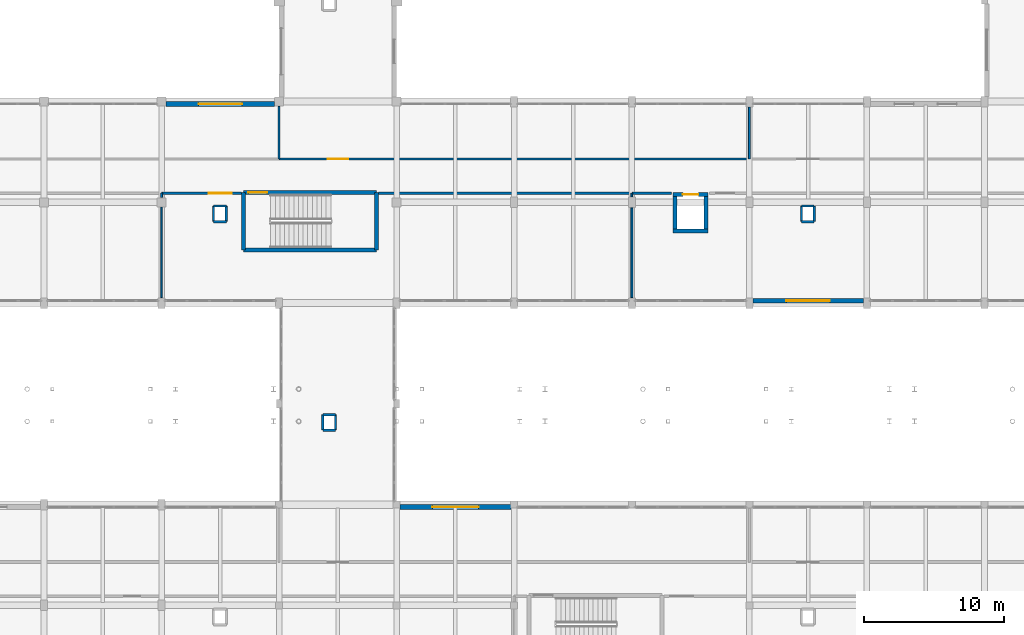
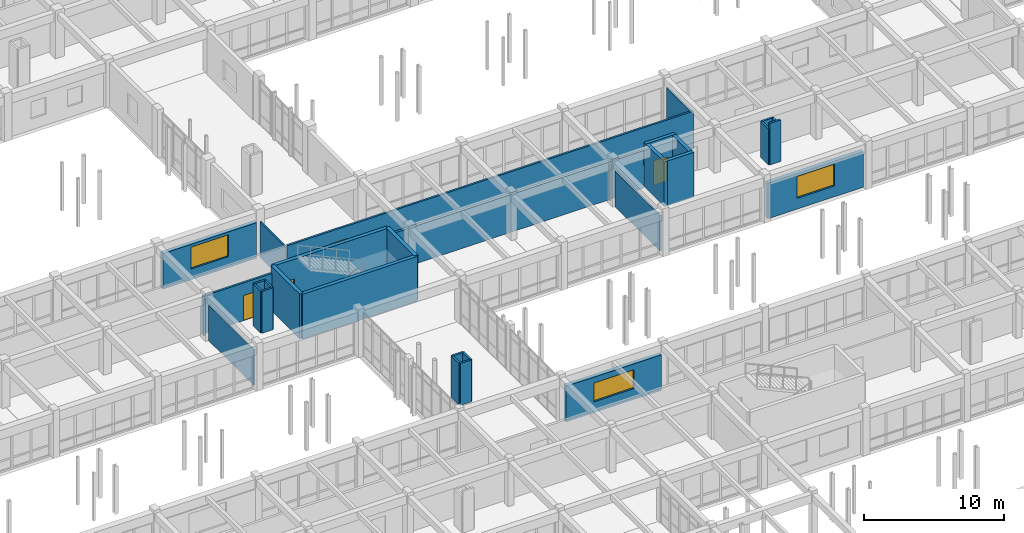
# One storey, part 133 of 147: 33 walls, 4 doors, 3 windows, 7 openings.
"""IFC4 building model written with IfcOpenShell, lengths in metres."""

from ifc_helpers import new_model, si_unit, direction, frame, frame_2d, origin, place, context, subcontext, project, spatial, rectangle, extrude, material, layer, layer_set, type_object, element, fill, save


model = new_model("IFC4")

# Units and contexts
model_context = context("Model", 3, precision=1e-05, world=origin(), true_north=direction((0.0, 1.0)))
body_context = subcontext(model_context, "Body", "Model", "MODEL_VIEW")
ifc_project = project(units=[si_unit("LENGTHUNIT", "METRE"), si_unit("AREAUNIT", "SQUARE_METRE"), si_unit("VOLUMEUNIT", "CUBIC_METRE"), si_unit("PLANEANGLEUNIT", "RADIAN"), si_unit("MASSUNIT", "GRAM", prefix="KILO")], contexts=[model_context])

# Site, building, storey
site_placement = place(None, origin())
site = spatial("IfcSite", under=ifc_project, at=site_placement, CompositionType="ELEMENT")
building_placement = place(site_placement, origin())
building = spatial("IfcBuilding", under=site, at=building_placement, Name="Malvenik Polytechnic", CompositionType="ELEMENT")
storey_placement = place(building_placement, frame((0.0, 0.0, 5.10009765625)))
storey = spatial("IfcBuildingStorey", under=building, at=storey_placement, Name="L01", CompositionType="ELEMENT", Elevation=5.10009765625)

# Wall
ifc_material_1 = material(Name="Concrete C35/45", Category="concrete")
ifc_layer_1 = layer(ifc_material_1, 0.280029296875)
ifc_layer_set_1 = layer_set([ifc_layer_1], Name="Concrete C35/45")
wall_type_1 = type_object("IfcWallType", Name="ARC-CW-S280", PredefinedType="SHEAR", material=ifc_layer_set_1)
wall_1_placement = place(storey_placement, frame((106.239990234375, 84.35009765625, 0.0), z_axis=(0.0, 0.0, 1.0), x_axis=(-1.0, 0.0, 0.0)))
element("IfcWall", 1, at=wall_1_placement, inside=storey, type_object=wall_type_1, Name="Lift Shaft Shear Wall LP-02 L01 -Y", PredefinedType="SHEAR", context=body_context, shape_type="SweptSolid", body=[
    extrude(rectangle(XDim=2.47998046875, YDim=0.280029296875, at=frame_2d((1.239990234375, 0.0))), origin(), (0.0, 0.0, 1.0), 3.919921875),
])

# Wall, opening, door
wall_2_placement = place(storey_placement, frame((103.760009765625, 86.949951171875, 0.0), z_axis=(0.0, 0.0, 1.0), x_axis=(1.0, 0.0, 0.0)))
wall_2 = element("IfcWall", 2, at=wall_2_placement, inside=storey, type_object=wall_type_1, Name="Lift Shaft Shear Wall LP-02 L01 +Y", PredefinedType="SHEAR", context=body_context, shape_type="SweptSolid", body=[
    extrude(rectangle(XDim=2.47998046875, YDim=0.280029296875, at=frame_2d((1.239990234375, 0.0))), origin(), (0.0, 0.0, 1.0), 3.919921875),
])
opening_1_placement = place(wall_2_placement, frame((0.68994140625, 0.0, 0.0)))
opening_1 = element("IfcOpeningElement", 3, at=opening_1_placement, cuts=wall_2, Name="Opening LD-01", PredefinedType="OPENING", context=body_context, shape_type="SweptSolid", body=[
    extrude(rectangle(XDim=1.10009765625, YDim=2.14990234375, at=frame_2d((0.550048828125, 1.074951171875))), frame((0.0, 0.14990234375, 0.0), z_axis=(0.0, -1.0, 0.0), x_axis=(1.0, 0.0, 0.0)), (0.0, 0.0, 1.0), 0.300048828125),
])
ifc_material_2 = material(Name="Stainless steel fire-rated sliding lift landing door", Category="steel")
door_type_1 = type_object("IfcDoorType", Name="ARC-LDR-LD-01", OperationType="NOTDEFINED", PredefinedType="DOOR", material=ifc_material_2)
door_1_placement = place(opening_1_placement, origin())
door_1 = element("IfcDoor", 4, at=door_1_placement, inside=storey, type_object=door_type_1, Name="Lift Sliding Landing Door LP-02 L01", OperationType="DOUBLE_DOOR_SLIDING", OverallHeight=2.14990234375, OverallWidth=1.10009765625, PredefinedType="DOOR", context=body_context, shape_type="SweptSolid", body=[
    extrude(rectangle(XDim=1.10009765625, YDim=2.14990234375, at=frame_2d((0.550048828125, 1.074951171875))), frame((0.0, 0.02490234375, 0.0), z_axis=(0.0, -1.0, 0.0), x_axis=(1.0, 0.0, 0.0)), (0.0, 0.0, 1.0), 0.050048828125),
])
fill(opening_1, door_1)

# Walls
for number, where, z_axis, x_axis, name in (
    (5, (103.89990234375, 84.2099609375, 0.0), (0.0, 0.0, 1.0), (0.0, 1.0, 0.0), "Lift Shaft Shear Wall LP-02 L01 -X"),
    (6, (106.10009765625, 87.090087890625, 0.0), (0.0, 0.0, 1.0), (0.0, -1.0, 0.0), "Lift Shaft Shear Wall LP-02 L01 +X"),
):
    element("IfcWall", number, at=place(storey_placement, frame(where, z_axis=z_axis, x_axis=x_axis)), inside=storey, type_object=wall_type_1, Name=name, PredefinedType="SHEAR", context=body_context, shape_type="SweptSolid", body=[
        extrude(rectangle(XDim=2.880126953125, YDim=0.280029296875, at=frame_2d((1.43994140625, 0.0))), origin(), (0.0, 0.0, 1.0), 3.919921875),
    ])
ifc_layer_2 = layer(ifc_material_1, 0.300048828125)
ifc_layer_set_2 = layer_set([ifc_layer_2], Name="Concrete C35/45")
wall_type_2 = type_object("IfcWallType", Name="ARC-CW-S300", PredefinedType="SHEAR", material=ifc_layer_set_2)
wall_3_placement = place(storey_placement, frame((73.050048828125, 83.0, 0.0), z_axis=(0.0, 0.0, 1.0), x_axis=(0.0, 1.0, 0.0)))
element("IfcWall", 7, at=wall_3_placement, inside=storey, type_object=wall_type_2, Name="Stair Core Shear Wall ST-05 L01 NEAR", PredefinedType="SHEAR", context=body_context, shape_type="SweptSolid", body=[
    extrude(rectangle(XDim=4.10009765625, YDim=0.300048828125, at=frame_2d((2.050048828125, 0.0))), origin(), (0.0, 0.0, 1.0), 3.919921875),
])

# Wall, opening, door
wall_4_placement = place(storey_placement, frame((73.050048828125, 87.10009765625, 0.0), z_axis=(0.0, 0.0, 1.0), x_axis=(1.0, 0.0, 0.0)))
wall_4 = element("IfcWall", 8, at=wall_4_placement, inside=storey, type_object=wall_type_2, Name="Stair Core Shear Wall ST-05 L01 RGHT", PredefinedType="SHEAR", context=body_context, shape_type="SweptSolid", body=[
    extrude(rectangle(XDim=9.5, YDim=0.300048828125, at=frame_2d((4.75, 0.0))), origin(), (0.0, 0.0, 1.0), 3.919921875),
])
opening_2_placement = place(wall_4_placement, frame((0.35009765625, 0.0, 0.0)))
opening_2 = element("IfcOpeningElement", 9, at=opening_2_placement, cuts=wall_4, Name="Opening SD-01", PredefinedType="OPENING", context=body_context, shape_type="SweptSolid", body=[
    extrude(rectangle(XDim=1.35009765625, YDim=2.199951171875, at=frame_2d((0.675048828125, 1.10009765625))), frame((0.0, 0.16015625, 0.0), z_axis=(0.0, -1.0, 0.0), x_axis=(1.0, 0.0, 0.0)), (0.0, 0.0, 1.0), 0.320068359375),
])
ifc_material_3 = material(Name="Fire-rated steel stair enclosure door", Category="steel")
door_type_2 = type_object("IfcDoorType", Name="ARC-IDR-SD-01", OperationType="NOTDEFINED", PredefinedType="DOOR", material=ifc_material_3)
door_2_placement = place(opening_2_placement, origin())
door_2 = element("IfcDoor", 10, at=door_2_placement, inside=storey, type_object=door_type_2, Name="Fire Stair Door ST-05 L01", OperationType="SINGLE_SWING_LEFT", OverallHeight=2.199951171875, OverallWidth=1.35009765625, PredefinedType="DOOR", context=body_context, shape_type="SweptSolid", body=[
    extrude(rectangle(XDim=1.35009765625, YDim=2.199951171875, at=frame_2d((0.675048828125, 1.10009765625))), frame((0.0, 0.02490234375, 0.0), z_axis=(0.0, -1.0, 0.0), x_axis=(1.0, 0.0, 0.0)), (0.0, 0.0, 1.0), 0.050048828125),
])
fill(opening_2, door_2)

# Walls
wall_5_placement = place(storey_placement, frame((82.550048828125, 87.10009765625, 0.0), z_axis=(0.0, 0.0, 1.0), x_axis=(0.0, -1.0, 0.0)))
element("IfcWall", 11, at=wall_5_placement, inside=storey, type_object=wall_type_2, Name="Stair Core Shear Wall ST-05 L01 FAR", PredefinedType="SHEAR", context=body_context, shape_type="SweptSolid", body=[
    extrude(rectangle(XDim=4.10009765625, YDim=0.300048828125, at=frame_2d((2.050048828125, 0.0))), origin(), (0.0, 0.0, 1.0), 3.919921875),
])
wall_6_placement = place(storey_placement, frame((82.550048828125, 83.0, 0.0), z_axis=(0.0, 0.0, 1.0), x_axis=(-1.0, 0.0, 0.0)))
element("IfcWall", 12, at=wall_6_placement, inside=storey, type_object=wall_type_2, Name="Stair Core Shear Wall ST-05 L01 LEFT", PredefinedType="SHEAR", context=body_context, shape_type="SweptSolid", body=[
    extrude(rectangle(XDim=9.5, YDim=0.300048828125, at=frame_2d((4.75, 0.0))), origin(), (0.0, 0.0, 1.0), 3.919921875),
])

# Wall, opening, window
ifc_material_4 = material(Name="Concrete C30/37", Category="concrete")
ifc_layer_3 = layer(ifc_material_4, 0.340087890625)
ifc_layer_set_3 = layer_set([ifc_layer_3], Name="Concrete C30/37")
wall_type_3 = type_object("IfcWallType", Name="ARC-EW-340", PredefinedType="SOLIDWALL", material=ifc_layer_set_3)
wall_7_placement = place(storey_placement, frame((67.52294921875, 93.429931640625, 0.0), z_axis=(0.0, 0.0, 1.0), x_axis=(1.0, 0.0, 0.0)))
wall_7 = element("IfcWall", 13, at=wall_7_placement, inside=storey, type_object=wall_type_3, Name="External Facade Wall EW-02 L01 #182", PredefinedType="SOLIDWALL", context=body_context, shape_type="SweptSolid", body=[
    extrude(rectangle(XDim=7.754150390625, YDim=0.340087890625, at=frame_2d((3.876953125, 0.0))), origin(), (0.0, 0.0, 1.0), 3.10986328125),
])
opening_3_placement = place(wall_7_placement, frame((2.326904296875, 0.0, 0.949951171875)))
opening_3 = element("IfcOpeningElement", 14, at=opening_3_placement, cuts=wall_7, Name="Opening W-29", PredefinedType="OPENING", context=body_context, shape_type="SweptSolid", body=[
    extrude(rectangle(XDim=3.10009765625, YDim=1.909912109375, at=frame_2d((1.550048828125, 0.955078125))), frame((0.0, 0.18017578125, 0.0), z_axis=(0.0, -1.0, 0.0), x_axis=(1.0, 0.0, 0.0)), (0.0, 0.0, 1.0), 0.360107421875),
])
ifc_material_5 = material(Name="Thermally broken aluminium frame with low-E double glazing", Category="aluminium")
window_type_1 = type_object("IfcWindowType", Name="ARC-WIN-W-29", PartitioningType="SINGLE_PANEL", PredefinedType="WINDOW", material=ifc_material_5)
window_1_placement = place(opening_3_placement, origin())
window_1 = element("IfcWindow", 15, at=window_1_placement, inside=storey, type_object=window_type_1, Name="Punched Window W-29 L01 #146", OverallHeight=1.909912109375, OverallWidth=3.10009765625, PartitioningType="SINGLE_PANEL", PredefinedType="WINDOW", context=body_context, shape_type="SweptSolid", body=[
    extrude(rectangle(XDim=3.10009765625, YDim=1.909912109375, at=frame_2d((1.550048828125, 0.955078125))), frame((0.0, 0.030029296875, 0.0), z_axis=(0.0, -1.0, 0.0), x_axis=(1.0, 0.0, 0.0)), (0.0, 0.0, 1.0), 0.06005859375),
])
fill(opening_3, window_1)

wall_8_placement = place(storey_placement, frame((117.35205078125, 79.3701171875, 0.0), z_axis=(0.0, 0.0, 1.0), x_axis=(-1.0, 0.0, 0.0)))
wall_8 = element("IfcWall", 16, at=wall_8_placement, inside=storey, type_object=wall_type_3, Name="External Facade Wall EW-02 L01 #213", PredefinedType="SOLIDWALL", context=body_context, shape_type="SweptSolid", body=[
    extrude(rectangle(XDim=7.904052734375, YDim=0.340087890625, at=frame_2d((3.9521484375, 0.0))), origin(), (0.0, 0.0, 1.0), 3.10986328125),
])
opening_4_placement = place(wall_8_placement, frame((2.402099609375, 0.0, 0.949951171875)))
opening_4 = element("IfcOpeningElement", 17, at=opening_4_placement, cuts=wall_8, Name="Opening W-29", PredefinedType="OPENING", context=body_context, shape_type="SweptSolid", body=[
    extrude(rectangle(XDim=3.10009765625, YDim=1.909912109375, at=frame_2d((1.550048828125, 0.955078125))), frame((0.0, 0.18017578125, 0.0), z_axis=(0.0, -1.0, 0.0), x_axis=(1.0, 0.0, 0.0)), (0.0, 0.0, 1.0), 0.360107421875),
])
window_2_placement = place(opening_4_placement, origin())
window_2 = element("IfcWindow", 18, at=window_2_placement, inside=storey, type_object=window_type_1, Name="Punched Window W-29 L01 #178", OverallHeight=1.909912109375, OverallWidth=3.10009765625, PartitioningType="SINGLE_PANEL", PredefinedType="WINDOW", context=body_context, shape_type="SweptSolid", body=[
    extrude(rectangle(XDim=3.10009765625, YDim=1.909912109375, at=frame_2d((1.550048828125, 0.955078125))), frame((0.0, 0.030029296875, 0.0), z_axis=(0.0, -1.0, 0.0), x_axis=(1.0, 0.0, 0.0)), (0.0, 0.0, 1.0), 0.06005859375),
])
fill(opening_4, window_2)

wall_9_placement = place(storey_placement, frame((84.248046875, 64.6298828125, 0.0), z_axis=(0.0, 0.0, 1.0), x_axis=(1.0, 0.0, 0.0)))
wall_9 = element("IfcWall", 19, at=wall_9_placement, inside=storey, type_object=wall_type_3, Name="External Facade Wall EW-02 L01 #214", PredefinedType="SOLIDWALL", context=body_context, shape_type="SweptSolid", body=[
    extrude(rectangle(XDim=7.904052734375, YDim=0.340087890625, at=frame_2d((3.9521484375, 0.0))), origin(), (0.0, 0.0, 1.0), 3.10986328125),
])
opening_5_placement = place(wall_9_placement, frame((2.302001953125, 0.0, 0.949951171875)))
opening_5 = element("IfcOpeningElement", 20, at=opening_5_placement, cuts=wall_9, Name="Opening W-30", PredefinedType="OPENING", context=body_context, shape_type="SweptSolid", body=[
    extrude(rectangle(XDim=3.300048828125, YDim=1.64990234375, at=frame_2d((1.64990234375, 0.824951171875))), frame((0.0, 0.18017578125, 0.0), z_axis=(0.0, -1.0, 0.0), x_axis=(1.0, 0.0, 0.0)), (0.0, 0.0, 1.0), 0.360107421875),
])
window_type_2 = type_object("IfcWindowType", Name="ARC-WIN-W-30", PartitioningType="SINGLE_PANEL", PredefinedType="WINDOW", material=ifc_material_5)
window_3_placement = place(opening_5_placement, origin())
window_3 = element("IfcWindow", 21, at=window_3_placement, inside=storey, type_object=window_type_2, Name="Punched Window W-30 L01 #179", OverallHeight=1.64990234375, OverallWidth=3.300048828125, PartitioningType="SINGLE_PANEL", PredefinedType="WINDOW", context=body_context, shape_type="SweptSolid", body=[
    extrude(rectangle(XDim=3.300048828125, YDim=1.64990234375, at=frame_2d((1.64990234375, 0.824951171875))), frame((0.0, 0.030029296875, 0.0), z_axis=(0.0, -1.0, 0.0), x_axis=(1.0, 0.0, 0.0)), (0.0, 0.0, 1.0), 0.06005859375),
])
fill(opening_5, window_3)

# Walls
ifc_material_6 = material(Name="Calcium silicate fire-rated blockwork 200mm", Category="masonry")
ifc_layer_4 = layer(ifc_material_6, 0.199951171875)
ifc_layer_set_4 = layer_set([ifc_layer_4], Name="Calcium silicate fire-rated blockwork 200mm")
wall_type_4 = type_object("IfcWallType", Name="ARC-FW-200", PredefinedType="SOLIDWALL", material=ifc_layer_set_4)
wall_10_placement = place(storey_placement, frame((100.800048828125, 87.050048828125, 0.0), z_axis=(0.0, 0.0, 1.0), x_axis=(-1.0, 0.0, 0.0)))
element("IfcWall", 22, at=wall_10_placement, inside=storey, type_object=wall_type_4, Name="Interior Partition FW-02 L01 #190", PredefinedType="SOLIDWALL", context=body_context, shape_type="SweptSolid", body=[
    extrude(rectangle(XDim=18.110107421875, YDim=0.199951171875, at=frame_2d((9.05517578125, 0.0))), origin(), (0.0, 0.0, 1.0), 3.304931640625),
])
ifc_material_7 = material(Name="Lightweight gypsum partition 110mm", Category="gypsum")
ifc_layer_5 = layer(ifc_material_7, 0.110107421875)
ifc_layer_set_5 = layer_set([ifc_layer_5], Name="Lightweight gypsum partition 110mm")
wall_type_5 = type_object("IfcWallType", Name="ARC-PW-110", PredefinedType="PARTITIONING", material=ifc_layer_set_5)
wall_11_placement = place(storey_placement, frame((67.199951171875, 79.594970703125, 0.0), z_axis=(0.0, 0.0, 1.0), x_axis=(0.0, 1.0, 0.0)))
element("IfcWall", 23, at=wall_11_placement, inside=storey, type_object=wall_type_5, Name="Interior Partition PW-04I L01 #188", PredefinedType="PARTITIONING", context=body_context, shape_type="SweptSolid", body=[
    extrude(rectangle(XDim=6.4599609375, YDim=0.110107421875, at=frame_2d((3.22998046875, 0.0))), origin(), (0.0, 0.0, 1.0), 3.10498046875),
])
ifc_material_8 = material(Name="Metal-stud gypsum board partition 125mm", Category="gypsum")
ifc_layer_6 = layer(ifc_material_8, 0.125)
ifc_layer_set_6 = layer_set([ifc_layer_6], Name="Metal-stud gypsum board partition 125mm")
wall_type_6 = type_object("IfcWallType", Name="ARC-PW-125", PredefinedType="PARTITIONING", material=ifc_layer_set_6)
wall_12_placement = place(storey_placement, frame((75.60009765625, 89.5, 0.0), z_axis=(0.0, 0.0, 1.0), x_axis=(0.0, 1.0, 0.0)))
element("IfcWall", 24, at=wall_12_placement, inside=storey, type_object=wall_type_6, Name="Interior Partition PW-03I L01 #178", PredefinedType="PARTITIONING", context=body_context, shape_type="SweptSolid", body=[
    extrude(rectangle(XDim=3.7548828125, YDim=0.125, at=frame_2d((1.87744140625, 0.0))), origin(), (0.0, 0.0, 1.0), 3.10498046875),
])
wall_13_placement = place(storey_placement, frame((100.800048828125, 86.794921875, 0.0), z_axis=(0.0, 0.0, 1.0), x_axis=(0.0, 1.0, 0.0)))
element("IfcWall", 25, at=wall_13_placement, inside=storey, type_object=wall_type_6, Name="Interior Partition PW-03I L01 #193", PredefinedType="PARTITIONING", context=body_context, shape_type="SweptSolid", body=[
    extrude(rectangle(XDim=0.255126953125, YDim=0.125, at=frame_2d((0.12744140625, 0.0))), origin(), (0.0, 0.0, 1.0), 3.15478515625),
])
ifc_material_9 = material(Name="Acoustic metal-stud gypsum partition 140mm", Category="gypsum")
ifc_layer_7 = layer(ifc_material_9, 0.139892578125)
ifc_layer_set_7 = layer_set([ifc_layer_7], Name="Acoustic metal-stud gypsum partition 140mm")
wall_type_7 = type_object("IfcWallType", Name="ARC-PW-140", PredefinedType="PARTITIONING", material=ifc_layer_set_7)
wall_14_placement = place(storey_placement, frame((109.199951171875, 89.5, 0.0), z_axis=(0.0, 0.0, 1.0), x_axis=(0.0, 1.0, 0.0)))
element("IfcWall", 26, at=wall_14_placement, inside=storey, type_object=wall_type_7, Name="Interior Partition PW-02I L01 #180", PredefinedType="PARTITIONING", context=body_context, shape_type="SweptSolid", body=[
    extrude(rectangle(XDim=3.705078125, YDim=0.139892578125, at=frame_2d((1.8525390625, 0.0))), origin(), (0.0, 0.0, 1.0), 3.10498046875),
])
wall_15_placement = place(storey_placement, frame((67.199951171875, 86.7451171875, 0.0), z_axis=(0.0, 0.0, 1.0), x_axis=(0.0, 1.0, 0.0)))
element("IfcWall", 27, at=wall_15_placement, inside=storey, type_object=wall_type_7, Name="Interior Partition PW-02I L01 #189", PredefinedType="PARTITIONING", context=body_context, shape_type="SweptSolid", body=[
    extrude(rectangle(XDim=0.304931640625, YDim=0.139892578125, at=frame_2d((0.15234375, 0.0))), origin(), (0.0, 0.0, 1.0), 3.15478515625),
])
wall_16_placement = place(storey_placement, frame((100.800048828125, 79.594970703125, 0.0), z_axis=(0.0, 0.0, 1.0), x_axis=(0.0, 1.0, 0.0)))
element("IfcWall", 28, at=wall_16_placement, inside=storey, type_object=wall_type_7, Name="Interior Partition PW-02I L01 #192", PredefinedType="PARTITIONING", context=body_context, shape_type="SweptSolid", body=[
    extrude(rectangle(XDim=6.409912109375, YDim=0.139892578125, at=frame_2d((3.205078125, 0.0))), origin(), (0.0, 0.0, 1.0), 3.10498046875),
])
ifc_material_10 = material(Name="Double-stud acoustic gypsum board partition 160mm", Category="gypsum")
ifc_layer_8 = layer(ifc_material_10, 0.159912109375)
ifc_layer_set_8 = layer_set([ifc_layer_8], Name="Double-stud acoustic gypsum board partition 160mm")
wall_type_8 = type_object("IfcWallType", Name="ARC-PW-160", PredefinedType="PARTITIONING", material=ifc_layer_set_8)
for number, where, z_axis, x_axis, name in (
    (29, (70.919921875, 85.02001953125, 0.0), (0.0, 0.0, 1.0), (1.0, 0.0, 0.0), "Riser Shaft Enclosure L01 #17S"),
    (30, (71.830078125, 86.1298828125, 0.0), (0.0, 0.0, 1.0), (-1.0, 0.0, 0.0), "Riser Shaft Enclosure L01 #17N"),
):
    element("IfcWall", number, at=place(storey_placement, frame(where, z_axis=z_axis, x_axis=x_axis)), inside=storey, type_object=wall_type_8, Name=name, PredefinedType="PARTITIONING", context=body_context, shape_type="SweptSolid", body=[
        extrude(rectangle(XDim=0.91015625, YDim=0.159912109375, at=frame_2d((0.455078125, 0.0))), origin(), (0.0, 0.0, 1.0), 3.64990234375),
    ])
for number, where, z_axis, x_axis, name in (
    (31, (70.919921875, 86.1298828125, 0.0), (0.0, 0.0, 1.0), (0.0, -1.0, 0.0), "Riser Shaft Enclosure L01 #17W"),
    (32, (71.830078125, 85.02001953125, 0.0), (0.0, 0.0, 1.0), (0.0, 1.0, 0.0), "Riser Shaft Enclosure L01 #17E"),
):
    element("IfcWall", number, at=place(storey_placement, frame(where, z_axis=z_axis, x_axis=x_axis)), inside=storey, type_object=wall_type_8, Name=name, PredefinedType="PARTITIONING", context=body_context, shape_type="SweptSolid", body=[
        extrude(rectangle(XDim=1.10986328125, YDim=0.159912109375, at=frame_2d((0.554931640625, 0.0))), origin(), (0.0, 0.0, 1.0), 3.64990234375),
    ])
wall_17_placement = place(storey_placement, frame((112.919921875, 85.02001953125, 0.0), z_axis=(0.0, 0.0, 1.0), x_axis=(1.0, 0.0, 0.0)))
element("IfcWall", 33, at=wall_17_placement, inside=storey, type_object=wall_type_8, Name="Riser Shaft Enclosure L01 #18S", PredefinedType="PARTITIONING", context=body_context, shape_type="SweptSolid", body=[
    extrude(rectangle(XDim=0.91015625, YDim=0.159912109375, at=frame_2d((0.455078125, 0.0))), origin(), (0.0, 0.0, 1.0), 3.64990234375),
])
wall_18_placement = place(storey_placement, frame((113.830078125, 86.1298828125, 0.0), z_axis=(0.0, 0.0, 1.0), x_axis=(-1.0, 0.0, 0.0)))
element("IfcWall", 34, at=wall_18_placement, inside=storey, type_object=wall_type_8, Name="Riser Shaft Enclosure L01 #18N", PredefinedType="PARTITIONING", context=body_context, shape_type="SweptSolid", body=[
    extrude(rectangle(XDim=0.91015625, YDim=0.159912109375, at=frame_2d((0.455078125, 0.0))), origin(), (0.0, 0.0, 1.0), 3.15478515625),
])
for number, where, z_axis, x_axis, name in (
    (35, (112.919921875, 86.1298828125, 0.0), (0.0, 0.0, 1.0), (0.0, -1.0, 0.0), "Riser Shaft Enclosure L01 #18W"),
    (36, (113.830078125, 85.02001953125, 0.0), (0.0, 0.0, 1.0), (0.0, 1.0, 0.0), "Riser Shaft Enclosure L01 #18E"),
):
    element("IfcWall", number, at=place(storey_placement, frame(where, z_axis=z_axis, x_axis=x_axis)), inside=storey, type_object=wall_type_8, Name=name, PredefinedType="PARTITIONING", context=body_context, shape_type="SweptSolid", body=[
        extrude(rectangle(XDim=1.10986328125, YDim=0.159912109375, at=frame_2d((0.554931640625, 0.0))), origin(), (0.0, 0.0, 1.0), 3.15478515625),
    ])
for number, where, z_axis, x_axis, name in (
    (37, (78.719970703125, 70.1201171875, 0.0), (0.0, 0.0, 1.0), (1.0, 0.0, 0.0), "Riser Shaft Enclosure L01 #25S"),
    (38, (79.6298828125, 71.22998046875, 0.0), (0.0, 0.0, 1.0), (-1.0, 0.0, 0.0), "Riser Shaft Enclosure L01 #25N"),
):
    element("IfcWall", number, at=place(storey_placement, frame(where, z_axis=z_axis, x_axis=x_axis)), inside=storey, type_object=wall_type_8, Name=name, PredefinedType="PARTITIONING", context=body_context, shape_type="SweptSolid", body=[
        extrude(rectangle(XDim=0.909912109375, YDim=0.159912109375, at=frame_2d((0.455078125, 0.0))), origin(), (0.0, 0.0, 1.0), 3.64990234375),
    ])
for number, where, z_axis, x_axis, name in (
    (39, (78.719970703125, 71.22998046875, 0.0), (0.0, 0.0, 1.0), (0.0, -1.0, 0.0), "Riser Shaft Enclosure L01 #25W"),
    (40, (79.6298828125, 70.1201171875, 0.0), (0.0, 0.0, 1.0), (0.0, 1.0, 0.0), "Riser Shaft Enclosure L01 #25E"),
):
    element("IfcWall", number, at=place(storey_placement, frame(where, z_axis=z_axis, x_axis=x_axis)), inside=storey, type_object=wall_type_8, Name=name, PredefinedType="PARTITIONING", context=body_context, shape_type="SweptSolid", body=[
        extrude(rectangle(XDim=1.10986328125, YDim=0.159912109375, at=frame_2d((0.554931640625, 0.0))), origin(), (0.0, 0.0, 1.0), 3.64990234375),
    ])

# Wall, opening, door
wall_19_placement = place(storey_placement, frame((75.60009765625, 89.5, 0.0), z_axis=(0.0, 0.0, 1.0), x_axis=(1.0, 0.0, 0.0)))
wall_19 = element("IfcWall", 41, at=wall_19_placement, inside=storey, type_object=wall_type_8, Name="Interior Partition PW-01I L01 #179", PredefinedType="PARTITIONING", context=body_context, shape_type="SweptSolid", body=[
    extrude(rectangle(XDim=33.599853515625, YDim=0.159912109375, at=frame_2d((16.7998046875, 0.0))), origin(), (0.0, 0.0, 1.0), 3.304931640625),
])
opening_6_placement = place(wall_19_placement, frame((3.47509765625, 0.0, 0.0)))
opening_6 = element("IfcOpeningElement", 42, at=opening_6_placement, cuts=wall_19, Name="Opening FD-08", PredefinedType="OPENING", context=body_context, shape_type="SweptSolid", body=[
    extrude(rectangle(XDim=1.449951171875, YDim=2.199951171875, at=frame_2d((0.72509765625, 1.10009765625))), frame((0.0, 0.08984375, 0.0), z_axis=(0.0, -1.0, 0.0), x_axis=(1.0, 0.0, 0.0)), (0.0, 0.0, 1.0), 0.179931640625),
])
ifc_material_11 = material(Name="Fire-rated seminar corridor door", Category="steel")
door_type_3 = type_object("IfcDoorType", Name="ARC-IDR-FD-08", OperationType="NOTDEFINED", PredefinedType="DOOR", material=ifc_material_11)
door_3_placement = place(opening_6_placement, origin())
door_3 = element("IfcDoor", 43, at=door_3_placement, inside=storey, type_object=door_type_3, Name="Interior Door FD-08 L01 #77", OperationType="SINGLE_SWING_LEFT", OverallHeight=2.199951171875, OverallWidth=1.449951171875, PredefinedType="DOOR", context=body_context, shape_type="SweptSolid", body=[
    extrude(rectangle(XDim=1.449951171875, YDim=2.199951171875, at=frame_2d((0.72509765625, 1.10009765625))), frame((0.0, 0.02490234375, 0.0), z_axis=(0.0, -1.0, 0.0), x_axis=(1.0, 0.0, 0.0)), (0.0, 0.0, 1.0), 0.050048828125),
])
fill(opening_6, door_3)

wall_20_placement = place(storey_placement, frame((72.909912109375, 87.050048828125, 0.0), z_axis=(0.0, 0.0, 1.0), x_axis=(-1.0, 0.0, 0.0)))
wall_20 = element("IfcWall", 44, at=wall_20_placement, inside=storey, type_object=wall_type_8, Name="Interior Partition PW-01I L01 #191", PredefinedType="PARTITIONING", context=body_context, shape_type="SweptSolid", body=[
    extrude(rectangle(XDim=5.7099609375, YDim=0.159912109375, at=frame_2d((2.85498046875, 0.0))), origin(), (0.0, 0.0, 1.0), 3.304931640625),
])
opening_7_placement = place(wall_20_placement, frame((0.68505859375, 0.0, 0.0)))
opening_7 = element("IfcOpeningElement", 45, at=opening_7_placement, cuts=wall_20, Name="Opening FD-03", PredefinedType="OPENING", context=body_context, shape_type="SweptSolid", body=[
    extrude(rectangle(XDim=1.64990234375, YDim=2.199951171875, at=frame_2d((0.824951171875, 1.10009765625))), frame((0.0, 0.08984375, 0.0), z_axis=(0.0, -1.0, 0.0), x_axis=(1.0, 0.0, 0.0)), (0.0, 0.0, 1.0), 0.179931640625),
])
ifc_material_12 = material(Name="Fire-rated double-leaf laboratory door", Category="steel")
door_type_4 = type_object("IfcDoorType", Name="ARC-IDR-FD-03", OperationType="NOTDEFINED", PredefinedType="DOOR", material=ifc_material_12)
door_4_placement = place(opening_7_placement, origin())
door_4 = element("IfcDoor", 46, at=door_4_placement, inside=storey, type_object=door_type_4, Name="Interior Door FD-03 L01 #81", OperationType="DOUBLE_DOOR_SINGLE_SWING", OverallHeight=2.199951171875, OverallWidth=1.64990234375, PredefinedType="DOOR", context=body_context, shape_type="SweptSolid", body=[
    extrude(rectangle(XDim=1.64990234375, YDim=2.199951171875, at=frame_2d((0.824951171875, 1.10009765625))), frame((0.0, 0.02490234375, 0.0), z_axis=(0.0, -1.0, 0.0), x_axis=(1.0, 0.0, 0.0)), (0.0, 0.0, 1.0), 0.050048828125),
])
fill(opening_7, door_4)

# Wall
wall_21_placement = place(storey_placement, frame((103.6298828125, 87.050048828125, 0.0), z_axis=(0.0, 0.0, 1.0), x_axis=(-1.0, 0.0, 0.0)))
element("IfcWall", 47, at=wall_21_placement, inside=storey, type_object=wall_type_8, Name="Interior Partition PW-01I L01 #195", PredefinedType="PARTITIONING", context=body_context, shape_type="SweptSolid", body=[
    extrude(rectangle(XDim=2.829833984375, YDim=0.159912109375, at=frame_2d((1.4150390625, 0.0))), origin(), (0.0, 0.0, 1.0), 3.304931640625),
])

save(model, "model.ifc")
